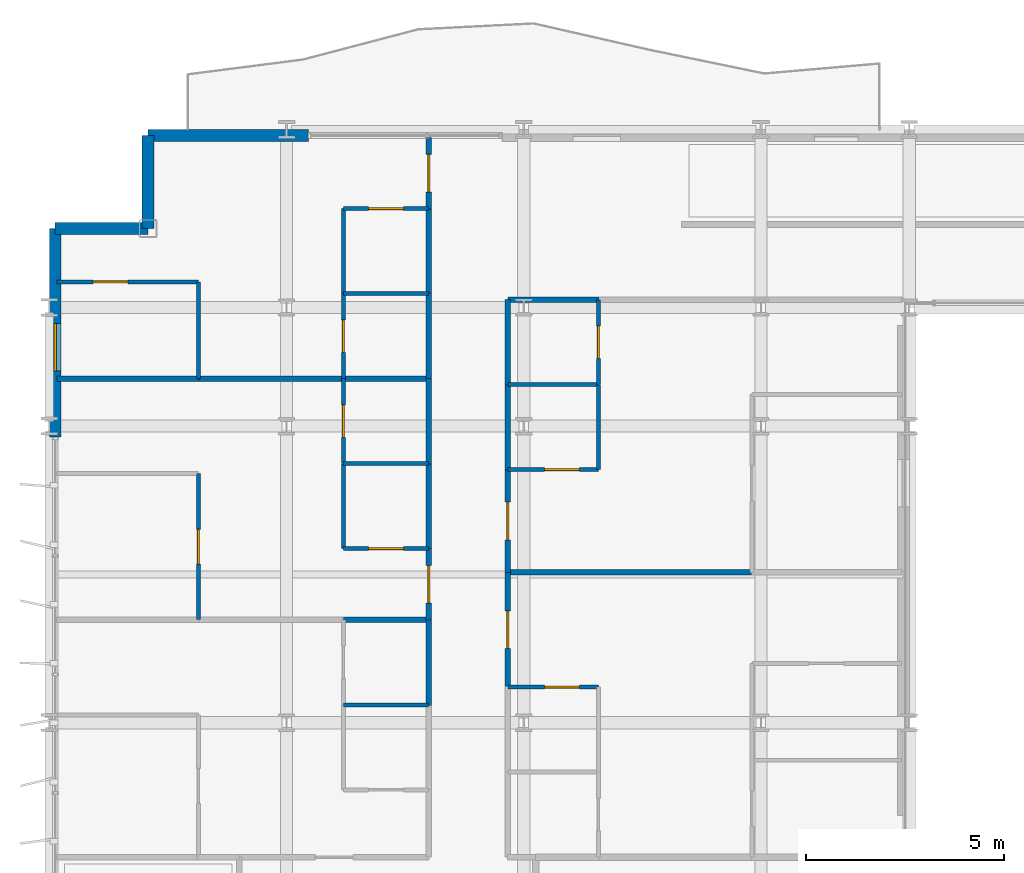
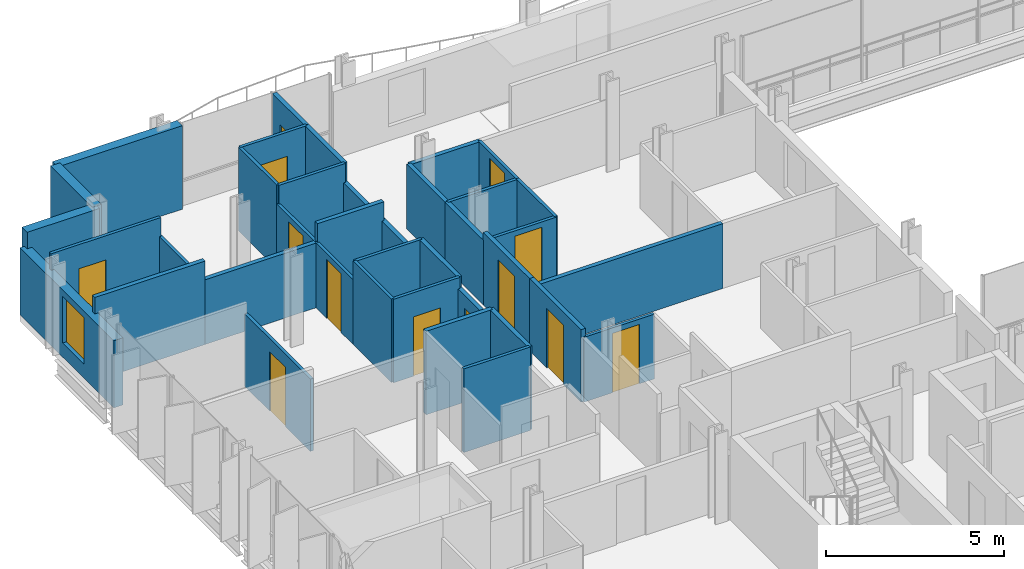
# One storey, part 29 of 39: 38 walls, 13 doors, 1 window, 14 openings.
"""IFC4 building model written with IfcOpenShell, lengths in metres."""

from ifc_helpers import new_model, si_unit, direction, frame, frame_2d, origin, place, context, subcontext, project, spatial, rectangle, extrude, material, layer, layer_set, type_object, element, fill, save


model = new_model("IFC4")

# Units and contexts
model_context = context("Model", 3, precision=1e-05, world=origin(), true_north=direction((0.0, 1.0)))
body_context = subcontext(model_context, "Body", "Model", "MODEL_VIEW")
ifc_project = project(units=[si_unit("LENGTHUNIT", "METRE"), si_unit("AREAUNIT", "SQUARE_METRE"), si_unit("VOLUMEUNIT", "CUBIC_METRE"), si_unit("PLANEANGLEUNIT", "RADIAN"), si_unit("MASSUNIT", "GRAM", prefix="KILO")], contexts=[model_context])

# Site, building, storey
site_placement = place(None, origin())
site = spatial("IfcSite", under=ifc_project, at=site_placement, CompositionType="ELEMENT")
building_placement = place(site_placement, origin())
building = spatial("IfcBuilding", under=site, at=building_placement, Name="Brevholm Reach", CompositionType="ELEMENT")
storey_placement = place(building_placement, frame((0.0, 0.0, 90.0)))
storey = spatial("IfcBuildingStorey", under=building, at=storey_placement, Name="L26", CompositionType="ELEMENT", Elevation=90.0)

# Walls
ifc_material_1 = material(Name="Concrete C40/50", Category="concrete")
ifc_layer_1 = layer(ifc_material_1, 0.300048828125)
ifc_layer_set_1 = layer_set([ifc_layer_1], Name="Concrete C40/50")
wall_type_1 = type_object("IfcWallType", Name="WAL-EXT-300", PredefinedType="STANDARD", material=ifc_layer_set_1)
for number, where, z_axis, x_axis, name in (
    (1, (2.5, 30.85009765625, 0.0), (0.0, 0.0, 1.0), (0.0, -1.0, 0.0), "L26 Facade Wall WAL-L26-CNW1"),
    (2, (2.5, 28.5, 0.0), (0.0, 0.0, 1.0), (-1.0, 0.0, 0.0), "L26 Facade Wall WAL-L26-CNW2"),
):
    element("IfcWall", number, at=place(storey_placement, frame(where, z_axis=z_axis, x_axis=x_axis)), inside=storey, type_object=wall_type_1, Name=name, PredefinedType="STANDARD", context=body_context, shape_type="SweptSolid", body=[
        extrude(rectangle(XDim=2.35009765625, YDim=0.300048828125, at=frame_2d((1.175048828125, 0.0))), origin(), (0.0, 0.0, 1.0), 2.8701171875),
    ])

# Wall, opening, window
wall_1_placement = place(storey_placement, frame((0.14990234375, 28.5, 0.0), z_axis=(0.0, 0.0, 1.0), x_axis=(0.0, -1.0, 0.0)))
wall_1 = element("IfcWall", 3, at=wall_1_placement, inside=storey, type_object=wall_type_1, Name="L26 Facade Wall WAL-L26-W-N", PredefinedType="STANDARD", context=body_context, shape_type="SweptSolid", body=[
    extrude(rectangle(XDim=5.280029296875, YDim=0.300048828125, at=frame_2d((2.64013671875, 0.0))), origin(), (0.0, 0.0, 1.0), 2.305419921875),
])
opening_1_placement = place(wall_1_placement, frame((2.39990234375, 0.0, 0.485107421875)))
opening_1 = element("IfcOpeningElement", 4, at=opening_1_placement, cuts=wall_1, Name="Opening WN-08", PredefinedType="OPENING", context=body_context, shape_type="SweptSolid", body=[
    extrude(rectangle(XDim=1.199951171875, YDim=1.60009765625, at=frame_2d((0.60009765625, 0.800048828125))), frame((0.0, 0.159912109375, 0.0), z_axis=(0.0, -1.0, 0.0), x_axis=(1.0, 0.0, 0.0)), (0.0, 0.0, 1.0), 0.320068359375),
])
ifc_material_2 = material(Name="Dark Anodised Aluminium and Solar-Control IGU Glass", Category="aluminium")
window_type = type_object("IfcWindowType", Name="WIN-RES-1200", PartitioningType="SINGLE_PANEL", PredefinedType="WINDOW", material=ifc_material_2)
window_placement = place(opening_1_placement, origin())
window = element("IfcWindow", 5, at=window_placement, inside=storey, type_object=window_type, Name="L26 Window WIN-L26-WN-1", OverallHeight=1.60009765625, OverallWidth=1.199951171875, PartitioningType="SINGLE_PANEL", PredefinedType="WINDOW", context=body_context, shape_type="SweptSolid", body=[
    extrude(rectangle(XDim=1.199951171875, YDim=1.60009765625, at=frame_2d((0.60009765625, 0.800048828125))), frame((0.0, 0.030029296875, 0.0), z_axis=(0.0, -1.0, 0.0), x_axis=(1.0, 0.0, 0.0)), (0.0, 0.0, 1.0), 0.06005859375),
])
fill(opening_1, window)

# Walls
wall_2_placement = place(storey_placement, frame((2.5, 30.85009765625, 0.0), z_axis=(0.0, 0.0, 1.0), x_axis=(1.0, 0.0, 0.0)))
element("IfcWall", 6, at=wall_2_placement, inside=storey, type_object=wall_type_1, Name="L26 Facade Wall WAL-L26-NP-W0", PredefinedType="STANDARD", context=body_context, shape_type="SweptSolid", body=[
    extrude(rectangle(XDim=4.050048828125, YDim=0.300048828125, at=frame_2d((2.02490234375, 0.0))), origin(), (0.0, 0.0, 1.0), 2.8701171875),
])
ifc_material_3 = material(Name="Moisture-Resistant Acoustic Gypsum Stud Partition 100 mm", Category="gypsum")
ifc_layer_2 = layer(ifc_material_3, 0.10009765625)
ifc_layer_set_2 = layer_set([ifc_layer_2], Name="Moisture-Resistant Acoustic Gypsum Stud Partition 100 mm")
wall_type_2 = type_object("IfcWallType", Name="WAL-PRT-100", PredefinedType="PARTITIONING", material=ifc_layer_set_2)
for number, where, z_axis, x_axis, name in (
    (7, (7.43798828125, 16.449951171875, 0.0), (0.0, 0.0, 1.0), (1.0, 0.0, 0.0), "L26 Internal Partition 090"),
    (8, (7.43798828125, 22.550048828125, 0.0), (0.0, 0.0, 1.0), (1.0, 0.0, 0.0), "L26 Internal Partition 099"),
):
    element("IfcWall", number, at=place(storey_placement, frame(where, z_axis=z_axis, x_axis=x_axis)), inside=storey, type_object=wall_type_2, Name=name, PredefinedType="PARTITIONING", context=body_context, shape_type="SweptSolid", body=[
        extrude(rectangle(XDim=2.157958984375, YDim=0.10009765625, at=frame_2d((1.0791015625, 0.0))), origin(), (0.0, 0.0, 1.0), 2.8701171875),
    ])

# Wall, opening, door
wall_3_placement = place(storey_placement, frame((7.43798828125, 22.550048828125, 0.0), z_axis=(0.0, 0.0, 1.0), x_axis=(0.0, 1.0, 0.0)))
wall_3 = element("IfcWall", 9, at=wall_3_placement, inside=storey, type_object=wall_type_2, Name="L26 Internal Partition 100", PredefinedType="PARTITIONING", context=body_context, shape_type="SweptSolid", body=[
    extrude(rectangle(XDim=2.14990234375, YDim=0.10009765625, at=frame_2d((1.074951171875, 0.0))), origin(), (0.0, 0.0, 1.0), 2.224853515625),
])
opening_2_placement = place(wall_3_placement, frame((0.6650390625, 0.0, 0.0)))
opening_2 = element("IfcOpeningElement", 10, at=opening_2_placement, cuts=wall_3, Name="Opening ID-03", PredefinedType="OPENING", context=body_context, shape_type="SweptSolid", body=[
    extrude(rectangle(XDim=0.820068359375, YDim=2.02001953125, at=frame_2d((0.41015625, 1.010009765625))), frame((0.0, 0.06005859375, 0.0), z_axis=(0.0, -1.0, 0.0), x_axis=(1.0, 0.0, 0.0)), (0.0, 0.0, 1.0), 0.1201171875),
])
ifc_material_4 = material(Name="Moisture-Resistant Painted Timber Internal Bathroom Door", Category="wood")
door_type_1 = type_object("IfcDoorType", Name="DOR-BATH-820", OperationType="NOTDEFINED", PredefinedType="DOOR", material=ifc_material_4)
door_1_placement = place(opening_2_placement, origin())
door_1 = element("IfcDoor", 11, at=door_1_placement, inside=storey, type_object=door_type_1, Name="L26 Internal Door 036", OperationType="SINGLE_SWING_RIGHT", OverallHeight=2.02001953125, OverallWidth=0.820068359375, PredefinedType="DOOR", context=body_context, shape_type="SweptSolid", body=[
    extrude(rectangle(XDim=0.820068359375, YDim=2.02001953125, at=frame_2d((0.41015625, 1.010009765625))), frame((0.0, 0.02490234375, 0.0), z_axis=(0.0, -1.0, 0.0), x_axis=(1.0, 0.0, 0.0)), (0.0, 0.0, 1.0), 0.050048828125),
])
fill(opening_2, door_1)

wall_4_placement = place(storey_placement, frame((7.43798828125, 20.39990234375, 0.0), z_axis=(0.0, 0.0, 1.0), x_axis=(1.0, 0.0, 0.0)))
wall_4 = element("IfcWall", 12, at=wall_4_placement, inside=storey, type_object=wall_type_2, Name="L26 Internal Partition 102", PredefinedType="PARTITIONING", context=body_context, shape_type="SweptSolid", body=[
    extrude(rectangle(XDim=2.157958984375, YDim=0.10009765625, at=frame_2d((1.0791015625, 0.0))), origin(), (0.0, 0.0, 1.0), 2.8701171875),
])
opening_3_placement = place(wall_4_placement, frame((0.638916015625, 0.0, 0.0)))
opening_3 = element("IfcOpeningElement", 13, at=opening_3_placement, cuts=wall_4, Name="Opening ID-01", PredefinedType="OPENING", context=body_context, shape_type="SweptSolid", body=[
    extrude(rectangle(XDim=0.8798828125, YDim=2.0400390625, at=frame_2d((0.43994140625, 1.02001953125))), frame((0.0, 0.06005859375, 0.0), z_axis=(0.0, -1.0, 0.0), x_axis=(1.0, 0.0, 0.0)), (0.0, 0.0, 1.0), 0.1201171875),
])
ifc_material_5 = material(Name="Lacquered Ash Solid-Core Acoustic Internal Door", Category="timber")
door_type_2 = type_object("IfcDoorType", Name="DOR-INT-880", OperationType="NOTDEFINED", PredefinedType="DOOR", material=ifc_material_5)
door_2_placement = place(opening_3_placement, origin())
door_2 = element("IfcDoor", 14, at=door_2_placement, inside=storey, type_object=door_type_2, Name="L26 Internal Door 037", OperationType="SINGLE_SWING_LEFT", OverallHeight=2.0400390625, OverallWidth=0.8798828125, PredefinedType="DOOR", context=body_context, shape_type="SweptSolid", body=[
    extrude(rectangle(XDim=0.8798828125, YDim=2.0400390625, at=frame_2d((0.43994140625, 1.02001953125))), frame((0.0, 0.02490234375, 0.0), z_axis=(0.0, -1.0, 0.0), x_axis=(1.0, 0.0, 0.0)), (0.0, 0.0, 1.0), 0.050048828125),
])
fill(opening_3, door_2)

# Wall
wall_5_placement = place(storey_placement, frame((7.43798828125, 20.39990234375, 0.0), z_axis=(0.0, 0.0, 1.0), x_axis=(0.0, 1.0, 0.0)))
element("IfcWall", 15, at=wall_5_placement, inside=storey, type_object=wall_type_2, Name="L26 Internal Partition 103", PredefinedType="PARTITIONING", context=body_context, shape_type="SweptSolid", body=[
    extrude(rectangle(XDim=2.14599609375, YDim=0.10009765625, at=frame_2d((1.072998046875, 0.0))), origin(), (0.0, 0.0, 1.0), 2.8701171875),
])

# Wall, opening, door
wall_6_placement = place(storey_placement, frame((3.77197265625, 18.60400390625, 0.0), z_axis=(0.0, 0.0, 1.0), x_axis=(0.0, 1.0, 0.0)))
wall_6 = element("IfcWall", 16, at=wall_6_placement, inside=storey, type_object=wall_type_2, Name="L26 Internal Partition 104", PredefinedType="PARTITIONING", context=body_context, shape_type="SweptSolid", body=[
    extrude(rectangle(XDim=3.696044921875, YDim=0.10009765625, at=frame_2d((1.84814453125, 0.0))), origin(), (0.0, 0.0, 1.0), 2.489990234375),
])
opening_4_placement = place(wall_6_placement, frame((1.407958984375, 0.0, 0.0)))
opening_4 = element("IfcOpeningElement", 17, at=opening_4_placement, cuts=wall_6, Name="Opening ID-01", PredefinedType="OPENING", context=body_context, shape_type="SweptSolid", body=[
    extrude(rectangle(XDim=0.8798828125, YDim=2.0400390625, at=frame_2d((0.43994140625, 1.02001953125))), frame((0.0, 0.06005859375, 0.0), z_axis=(0.0, -1.0, 0.0), x_axis=(1.0, 0.0, 0.0)), (0.0, 0.0, 1.0), 0.1201171875),
])
door_3_placement = place(opening_4_placement, origin())
door_3 = element("IfcDoor", 18, at=door_3_placement, inside=storey, type_object=door_type_2, Name="L26 Internal Door 038", OperationType="SINGLE_SWING_RIGHT", OverallHeight=2.0400390625, OverallWidth=0.8798828125, PredefinedType="DOOR", context=body_context, shape_type="SweptSolid", body=[
    extrude(rectangle(XDim=0.8798828125, YDim=2.0400390625, at=frame_2d((0.43994140625, 1.02001953125))), frame((0.0, 0.02490234375, 0.0), z_axis=(0.0, -1.0, 0.0), x_axis=(1.0, 0.0, 0.0)), (0.0, 0.0, 1.0), 0.050048828125),
])
fill(opening_4, door_3)

# Wall
wall_7_placement = place(storey_placement, frame((7.43798828125, 26.85009765625, 0.0), z_axis=(0.0, 0.0, 1.0), x_axis=(1.0, 0.0, 0.0)))
element("IfcWall", 19, at=wall_7_placement, inside=storey, type_object=wall_type_2, Name="L26 Internal Partition 108", PredefinedType="PARTITIONING", context=body_context, shape_type="SweptSolid", body=[
    extrude(rectangle(XDim=2.157958984375, YDim=0.10009765625, at=frame_2d((1.0791015625, 0.0))), origin(), (0.0, 0.0, 1.0), 2.8701171875),
])

# Wall, opening, door
wall_8_placement = place(storey_placement, frame((7.43798828125, 24.7041015625, 0.0), z_axis=(0.0, 0.0, 1.0), x_axis=(0.0, 1.0, 0.0)))
wall_8 = element("IfcWall", 20, at=wall_8_placement, inside=storey, type_object=wall_type_2, Name="L26 Internal Partition 109", PredefinedType="PARTITIONING", context=body_context, shape_type="SweptSolid", body=[
    extrude(rectangle(XDim=2.14599609375, YDim=0.10009765625, at=frame_2d((1.072998046875, 0.0))), origin(), (0.0, 0.0, 1.0), 2.224853515625),
])
opening_5_placement = place(wall_8_placement, frame((0.6630859375, 0.0, 0.0)))
opening_5 = element("IfcOpeningElement", 21, at=opening_5_placement, cuts=wall_8, Name="Opening ID-03", PredefinedType="OPENING", context=body_context, shape_type="SweptSolid", body=[
    extrude(rectangle(XDim=0.820068359375, YDim=2.02001953125, at=frame_2d((0.41015625, 1.010009765625))), frame((0.0, 0.06005859375, 0.0), z_axis=(0.0, -1.0, 0.0), x_axis=(1.0, 0.0, 0.0)), (0.0, 0.0, 1.0), 0.1201171875),
])
door_4_placement = place(opening_5_placement, origin())
door_4 = element("IfcDoor", 22, at=door_4_placement, inside=storey, type_object=door_type_1, Name="L26 Internal Door 039", OperationType="SINGLE_SWING_LEFT", OverallHeight=2.02001953125, OverallWidth=0.820068359375, PredefinedType="DOOR", context=body_context, shape_type="SweptSolid", body=[
    extrude(rectangle(XDim=0.820068359375, YDim=2.02001953125, at=frame_2d((0.41015625, 1.010009765625))), frame((0.0, 0.02490234375, 0.0), z_axis=(0.0, -1.0, 0.0), x_axis=(1.0, 0.0, 0.0)), (0.0, 0.0, 1.0), 0.050048828125),
])
fill(opening_5, door_4)

wall_9_placement = place(storey_placement, frame((7.43798828125, 29.0, 0.0), z_axis=(0.0, 0.0, 1.0), x_axis=(1.0, 0.0, 0.0)))
wall_9 = element("IfcWall", 23, at=wall_9_placement, inside=storey, type_object=wall_type_2, Name="L26 Internal Partition 110", PredefinedType="PARTITIONING", context=body_context, shape_type="SweptSolid", body=[
    extrude(rectangle(XDim=2.157958984375, YDim=0.10009765625, at=frame_2d((1.0791015625, 0.0))), origin(), (0.0, 0.0, 1.0), 2.8701171875),
])
opening_6_placement = place(wall_9_placement, frame((0.638916015625, 0.0, 0.0)))
opening_6 = element("IfcOpeningElement", 24, at=opening_6_placement, cuts=wall_9, Name="Opening ID-01", PredefinedType="OPENING", context=body_context, shape_type="SweptSolid", body=[
    extrude(rectangle(XDim=0.8798828125, YDim=2.0400390625, at=frame_2d((0.43994140625, 1.02001953125))), frame((0.0, 0.06005859375, 0.0), z_axis=(0.0, -1.0, 0.0), x_axis=(1.0, 0.0, 0.0)), (0.0, 0.0, 1.0), 0.1201171875),
])
door_5_placement = place(opening_6_placement, origin())
door_5 = element("IfcDoor", 25, at=door_5_placement, inside=storey, type_object=door_type_2, Name="L26 Internal Door 040", OperationType="SINGLE_SWING_RIGHT", OverallHeight=2.0400390625, OverallWidth=0.8798828125, PredefinedType="DOOR", context=body_context, shape_type="SweptSolid", body=[
    extrude(rectangle(XDim=0.8798828125, YDim=2.0400390625, at=frame_2d((0.43994140625, 1.02001953125))), frame((0.0, 0.02490234375, 0.0), z_axis=(0.0, -1.0, 0.0), x_axis=(1.0, 0.0, 0.0)), (0.0, 0.0, 1.0), 0.050048828125),
])
fill(opening_6, door_5)

# Walls
wall_10_placement = place(storey_placement, frame((7.43798828125, 26.85400390625, 0.0), z_axis=(0.0, 0.0, 1.0), x_axis=(0.0, 1.0, 0.0)))
element("IfcWall", 26, at=wall_10_placement, inside=storey, type_object=wall_type_2, Name="L26 Internal Partition 111", PredefinedType="PARTITIONING", context=body_context, shape_type="SweptSolid", body=[
    extrude(rectangle(XDim=2.14599609375, YDim=0.10009765625, at=frame_2d((1.072998046875, 0.0))), origin(), (0.0, 0.0, 1.0), 2.8701171875),
])
wall_11_placement = place(storey_placement, frame((3.77197265625, 24.7041015625, 0.0), z_axis=(0.0, 0.0, 1.0), x_axis=(0.0, 1.0, 0.0)))
element("IfcWall", 27, at=wall_11_placement, inside=storey, type_object=wall_type_2, Name="L26 Internal Partition 112", PredefinedType="PARTITIONING", context=body_context, shape_type="SweptSolid", body=[
    extrude(rectangle(XDim=2.44580078125, YDim=0.10009765625, at=frame_2d((1.222900390625, 0.0))), origin(), (0.0, 0.0, 1.0), 2.224853515625),
])

# Wall, opening, door
wall_12_placement = place(storey_placement, frame((0.199951171875, 27.14990234375, 0.0), z_axis=(0.0, 0.0, 1.0), x_axis=(1.0, 0.0, 0.0)))
wall_12 = element("IfcWall", 28, at=wall_12_placement, inside=storey, type_object=wall_type_2, Name="L26 Internal Partition 113", PredefinedType="PARTITIONING", context=body_context, shape_type="SweptSolid", body=[
    extrude(rectangle(XDim=3.572021484375, YDim=0.10009765625, at=frame_2d((1.7861328125, 0.0))), origin(), (0.0, 0.0, 1.0), 2.8701171875),
])
opening_7_placement = place(wall_12_placement, frame((0.906005859375, 0.0, 0.0)))
opening_7 = element("IfcOpeningElement", 29, at=opening_7_placement, cuts=wall_12, Name="Opening ID-01", PredefinedType="OPENING", context=body_context, shape_type="SweptSolid", body=[
    extrude(rectangle(XDim=0.8798828125, YDim=2.0400390625, at=frame_2d((0.43994140625, 1.02001953125))), frame((0.0, 0.06005859375, 0.0), z_axis=(0.0, -1.0, 0.0), x_axis=(1.0, 0.0, 0.0)), (0.0, 0.0, 1.0), 0.1201171875),
])
door_6_placement = place(opening_7_placement, origin())
door_6 = element("IfcDoor", 30, at=door_6_placement, inside=storey, type_object=door_type_2, Name="L26 Internal Door 041", OperationType="SINGLE_SWING_LEFT", OverallHeight=2.0400390625, OverallWidth=0.8798828125, PredefinedType="DOOR", context=body_context, shape_type="SweptSolid", body=[
    extrude(rectangle(XDim=0.8798828125, YDim=2.0400390625, at=frame_2d((0.43994140625, 1.02001953125))), frame((0.0, 0.02490234375, 0.0), z_axis=(0.0, -1.0, 0.0), x_axis=(1.0, 0.0, 0.0)), (0.0, 0.0, 1.0), 0.050048828125),
])
fill(opening_7, door_6)

wall_13_placement = place(storey_placement, frame((11.60400390625, 16.89990234375, 0.0), z_axis=(0.0, 0.0, 1.0), x_axis=(1.0, 0.0, 0.0)))
wall_13 = element("IfcWall", 31, at=wall_13_placement, inside=storey, type_object=wall_type_2, Name="L26 Internal Partition 117", PredefinedType="PARTITIONING", context=body_context, shape_type="SweptSolid", body=[
    extrude(rectangle(XDim=2.284912109375, YDim=0.10009765625, at=frame_2d((1.142578125, 0.0))), origin(), (0.0, 0.0, 1.0), 2.224853515625),
])
opening_8_placement = place(wall_13_placement, frame((0.922607421875, 0.0, 0.0)))
opening_8 = element("IfcOpeningElement", 32, at=opening_8_placement, cuts=wall_13, Name="Opening ID-01", PredefinedType="OPENING", context=body_context, shape_type="SweptSolid", body=[
    extrude(rectangle(XDim=0.8798828125, YDim=2.0400390625, at=frame_2d((0.43994140625, 1.02001953125))), frame((0.0, 0.06005859375, 0.0), z_axis=(0.0, -1.0, 0.0), x_axis=(1.0, 0.0, 0.0)), (0.0, 0.0, 1.0), 0.1201171875),
])
door_7_placement = place(opening_8_placement, origin())
door_7 = element("IfcDoor", 33, at=door_7_placement, inside=storey, type_object=door_type_2, Name="L26 Internal Door 043", OperationType="SINGLE_SWING_LEFT", OverallHeight=2.0400390625, OverallWidth=0.8798828125, PredefinedType="DOOR", context=body_context, shape_type="SweptSolid", body=[
    extrude(rectangle(XDim=0.8798828125, YDim=2.0400390625, at=frame_2d((0.43994140625, 1.02001953125))), frame((0.0, 0.02490234375, 0.0), z_axis=(0.0, -1.0, 0.0), x_axis=(1.0, 0.0, 0.0)), (0.0, 0.0, 1.0), 0.050048828125),
])
fill(opening_8, door_7)

# Wall
wall_14_placement = place(storey_placement, frame((11.60400390625, 24.550048828125, 0.0), z_axis=(0.0, 0.0, 1.0), x_axis=(1.0, 0.0, 0.0)))
element("IfcWall", 34, at=wall_14_placement, inside=storey, type_object=wall_type_2, Name="L26 Internal Partition 124", PredefinedType="PARTITIONING", context=body_context, shape_type="SweptSolid", body=[
    extrude(rectangle(XDim=2.284912109375, YDim=0.10009765625, at=frame_2d((1.142578125, 0.0))), origin(), (0.0, 0.0, 1.0), 2.224853515625),
])

# Wall, opening, door
wall_15_placement = place(storey_placement, frame((13.888916015625, 24.550048828125, 0.0), z_axis=(0.0, 0.0, 1.0), x_axis=(0.0, 1.0, 0.0)))
wall_15 = element("IfcWall", 35, at=wall_15_placement, inside=storey, type_object=wall_type_2, Name="L26 Internal Partition 125", PredefinedType="PARTITIONING", context=body_context, shape_type="SweptSolid", body=[
    extrude(rectangle(XDim=2.14599609375, YDim=0.10009765625, at=frame_2d((1.072998046875, 0.0))), origin(), (0.0, 0.0, 1.0), 2.224853515625),
])
opening_9_placement = place(wall_15_placement, frame((0.6630859375, 0.0, 0.0)))
opening_9 = element("IfcOpeningElement", 36, at=opening_9_placement, cuts=wall_15, Name="Opening ID-03", PredefinedType="OPENING", context=body_context, shape_type="SweptSolid", body=[
    extrude(rectangle(XDim=0.820068359375, YDim=2.02001953125, at=frame_2d((0.41015625, 1.010009765625))), frame((0.0, 0.06005859375, 0.0), z_axis=(0.0, -1.0, 0.0), x_axis=(1.0, 0.0, 0.0)), (0.0, 0.0, 1.0), 0.1201171875),
])
door_8_placement = place(opening_9_placement, origin())
door_8 = element("IfcDoor", 37, at=door_8_placement, inside=storey, type_object=door_type_1, Name="L26 Internal Door 046", OperationType="SINGLE_SWING_RIGHT", OverallHeight=2.02001953125, OverallWidth=0.820068359375, PredefinedType="DOOR", context=body_context, shape_type="SweptSolid", body=[
    extrude(rectangle(XDim=0.820068359375, YDim=2.02001953125, at=frame_2d((0.41015625, 1.010009765625))), frame((0.0, 0.02490234375, 0.0), z_axis=(0.0, -1.0, 0.0), x_axis=(1.0, 0.0, 0.0)), (0.0, 0.0, 1.0), 0.050048828125),
])
fill(opening_9, door_8)

wall_16_placement = place(storey_placement, frame((11.60400390625, 22.39990234375, 0.0), z_axis=(0.0, 0.0, 1.0), x_axis=(1.0, 0.0, 0.0)))
wall_16 = element("IfcWall", 38, at=wall_16_placement, inside=storey, type_object=wall_type_2, Name="L26 Internal Partition 126", PredefinedType="PARTITIONING", context=body_context, shape_type="SweptSolid", body=[
    extrude(rectangle(XDim=2.284912109375, YDim=0.10009765625, at=frame_2d((1.142578125, 0.0))), origin(), (0.0, 0.0, 1.0), 2.224853515625),
])
opening_10_placement = place(wall_16_placement, frame((0.922607421875, 0.0, 0.0)))
opening_10 = element("IfcOpeningElement", 39, at=opening_10_placement, cuts=wall_16, Name="Opening ID-01", PredefinedType="OPENING", context=body_context, shape_type="SweptSolid", body=[
    extrude(rectangle(XDim=0.8798828125, YDim=2.0400390625, at=frame_2d((0.43994140625, 1.02001953125))), frame((0.0, 0.06005859375, 0.0), z_axis=(0.0, -1.0, 0.0), x_axis=(1.0, 0.0, 0.0)), (0.0, 0.0, 1.0), 0.1201171875),
])
door_9_placement = place(opening_10_placement, origin())
door_9 = element("IfcDoor", 40, at=door_9_placement, inside=storey, type_object=door_type_2, Name="L26 Internal Door 047", OperationType="SINGLE_SWING_LEFT", OverallHeight=2.0400390625, OverallWidth=0.8798828125, PredefinedType="DOOR", context=body_context, shape_type="SweptSolid", body=[
    extrude(rectangle(XDim=0.8798828125, YDim=2.0400390625, at=frame_2d((0.43994140625, 1.02001953125))), frame((0.0, 0.02490234375, 0.0), z_axis=(0.0, -1.0, 0.0), x_axis=(1.0, 0.0, 0.0)), (0.0, 0.0, 1.0), 0.050048828125),
])
fill(opening_10, door_9)

# Walls
wall_17_placement = place(storey_placement, frame((13.888916015625, 22.39990234375, 0.0), z_axis=(0.0, 0.0, 1.0), x_axis=(0.0, 1.0, 0.0)))
element("IfcWall", 41, at=wall_17_placement, inside=storey, type_object=wall_type_2, Name="L26 Internal Partition 127", PredefinedType="PARTITIONING", context=body_context, shape_type="SweptSolid", body=[
    extrude(rectangle(XDim=2.14599609375, YDim=0.10009765625, at=frame_2d((1.072998046875, 0.0))), origin(), (0.0, 0.0, 1.0), 2.224853515625),
])
ifc_material_6 = material(Name="Twin-Stud Acoustic Fire-Rated Gypsum Partition 140 mm", Category="gypsum")
ifc_layer_3 = layer(ifc_material_6, 0.139892578125)
ifc_layer_set_3 = layer_set([ifc_layer_3], Name="Twin-Stud Acoustic Fire-Rated Gypsum Partition 140 mm")
wall_type_3 = type_object("IfcWallType", Name="WAL-PRT-140", PredefinedType="PARTITIONING", material=ifc_layer_set_3)
wall_18_placement = place(storey_placement, frame((9.60009765625, 16.438720703125, 0.0), z_axis=(0.0, 0.0, 1.0), x_axis=(0.0, 1.0, 0.0)))
element("IfcWall", 42, at=wall_18_placement, inside=storey, type_object=wall_type_3, Name="L26 Internal Partition 035", PredefinedType="PARTITIONING", context=body_context, shape_type="SweptSolid", body=[
    extrude(rectangle(XDim=2.172607421875, YDim=0.139892578125, at=frame_2d((1.08642578125, 0.0))), origin(), (0.0, 0.0, 1.0), 2.8701171875),
])
wall_19_placement = place(storey_placement, frame((9.60009765625, 22.538818359375, 0.0), z_axis=(0.0, 0.0, 1.0), x_axis=(0.0, 1.0, 0.0)))
element("IfcWall", 43, at=wall_19_placement, inside=storey, type_object=wall_type_3, Name="L26 Internal Partition 038", PredefinedType="PARTITIONING", context=body_context, shape_type="SweptSolid", body=[
    extrude(rectangle(XDim=2.17236328125, YDim=0.139892578125, at=frame_2d((1.086181640625, 0.0))), origin(), (0.0, 0.0, 1.0), 2.224853515625),
])
wall_20_placement = place(storey_placement, frame((9.60009765625, 20.388671875, 0.0), z_axis=(0.0, 0.0, 1.0), x_axis=(0.0, 1.0, 0.0)))
element("IfcWall", 44, at=wall_20_placement, inside=storey, type_object=wall_type_3, Name="L26 Internal Partition 039", PredefinedType="PARTITIONING", context=body_context, shape_type="SweptSolid", body=[
    extrude(rectangle(XDim=2.168701171875, YDim=0.139892578125, at=frame_2d((1.08447265625, 0.0))), origin(), (0.0, 0.0, 1.0), 2.8701171875),
])

# Wall, opening, door
wall_21_placement = place(storey_placement, frame((9.60009765625, 18.5927734375, 0.0), z_axis=(0.0, 0.0, 1.0), x_axis=(0.0, 1.0, 0.0)))
wall_21 = element("IfcWall", 45, at=wall_21_placement, inside=storey, type_object=wall_type_3, Name="L26 Internal Partition 040", PredefinedType="PARTITIONING", context=body_context, shape_type="SweptSolid", body=[
    extrude(rectangle(XDim=1.814453125, YDim=0.139892578125, at=frame_2d((0.9072265625, 0.0))), origin(), (0.0, 0.0, 1.0), 2.489990234375),
])
opening_11_placement = place(wall_21_placement, frame((0.432373046875, 0.0, 0.0)))
opening_11 = element("IfcOpeningElement", 46, at=opening_11_placement, cuts=wall_21, Name="Opening ID-30", PredefinedType="OPENING", context=body_context, shape_type="SweptSolid", body=[
    extrude(rectangle(XDim=0.949951171875, YDim=2.050048828125, at=frame_2d((0.47509765625, 1.02490234375))), frame((0.0, 0.079833984375, 0.0), z_axis=(0.0, -1.0, 0.0), x_axis=(1.0, 0.0, 0.0)), (0.0, 0.0, 1.0), 0.159912109375),
])
ifc_material_7 = material(Name="European Oak Veneered Solid-Core Fire Entrance Door", Category="timber")
door_type_3 = type_object("IfcDoorType", Name="DOR-FLT-FD30S", OperationType="NOTDEFINED", PredefinedType="DOOR", material=ifc_material_7)
door_10_placement = place(opening_11_placement, origin())
door_10 = element("IfcDoor", 47, at=door_10_placement, inside=storey, type_object=door_type_3, Name="L26 Internal Door 018", OperationType="SINGLE_SWING_RIGHT", OverallHeight=2.050048828125, OverallWidth=0.949951171875, PredefinedType="DOOR", context=body_context, shape_type="SweptSolid", body=[
    extrude(rectangle(XDim=0.949951171875, YDim=2.050048828125, at=frame_2d((0.47509765625, 1.02490234375))), frame((0.0, 0.02490234375, 0.0), z_axis=(0.0, -1.0, 0.0), x_axis=(1.0, 0.0, 0.0)), (0.0, 0.0, 1.0), 0.050048828125),
])
fill(opening_11, door_10)

# Walls
wall_22_placement = place(storey_placement, frame((9.60009765625, 24.692626953125, 0.0), z_axis=(0.0, 0.0, 1.0), x_axis=(0.0, 1.0, 0.0)))
element("IfcWall", 48, at=wall_22_placement, inside=storey, type_object=wall_type_3, Name="L26 Internal Partition 041", PredefinedType="PARTITIONING", context=body_context, shape_type="SweptSolid", body=[
    extrude(rectangle(XDim=2.168701171875, YDim=0.139892578125, at=frame_2d((1.08447265625, 0.0))), origin(), (0.0, 0.0, 1.0), 2.224853515625),
])
wall_23_placement = place(storey_placement, frame((9.60009765625, 26.8427734375, 0.0), z_axis=(0.0, 0.0, 1.0), x_axis=(0.0, 1.0, 0.0)))
element("IfcWall", 49, at=wall_23_placement, inside=storey, type_object=wall_type_3, Name="L26 Internal Partition 042", PredefinedType="PARTITIONING", context=body_context, shape_type="SweptSolid", body=[
    extrude(rectangle(XDim=2.16845703125, YDim=0.139892578125, at=frame_2d((1.084228515625, 0.0))), origin(), (0.0, 0.0, 1.0), 2.8701171875),
])

# Wall, opening, door
wall_24_placement = place(storey_placement, frame((9.60009765625, 28.99267578125, 0.0), z_axis=(0.0, 0.0, 1.0), x_axis=(0.0, 1.0, 0.0)))
wall_24 = element("IfcWall", 50, at=wall_24_placement, inside=storey, type_object=wall_type_3, Name="L26 Internal Partition 043", PredefinedType="PARTITIONING", context=body_context, shape_type="SweptSolid", body=[
    extrude(rectangle(XDim=1.807373046875, YDim=0.139892578125, at=frame_2d((0.90380859375, 0.0))), origin(), (0.0, 0.0, 1.0), 2.8701171875),
])
opening_12_placement = place(wall_24_placement, frame((0.4287109375, 0.0, 0.0)))
opening_12 = element("IfcOpeningElement", 51, at=opening_12_placement, cuts=wall_24, Name="Opening ID-30", PredefinedType="OPENING", context=body_context, shape_type="SweptSolid", body=[
    extrude(rectangle(XDim=0.949951171875, YDim=2.050048828125, at=frame_2d((0.47509765625, 1.02490234375))), frame((0.0, 0.079833984375, 0.0), z_axis=(0.0, -1.0, 0.0), x_axis=(1.0, 0.0, 0.0)), (0.0, 0.0, 1.0), 0.159912109375),
])
door_11_placement = place(opening_12_placement, origin())
door_11 = element("IfcDoor", 52, at=door_11_placement, inside=storey, type_object=door_type_3, Name="L26 Internal Door 019", OperationType="SINGLE_SWING_LEFT", OverallHeight=2.050048828125, OverallWidth=0.949951171875, PredefinedType="DOOR", context=body_context, shape_type="SweptSolid", body=[
    extrude(rectangle(XDim=0.949951171875, YDim=2.050048828125, at=frame_2d((0.47509765625, 1.02490234375))), frame((0.0, 0.02490234375, 0.0), z_axis=(0.0, -1.0, 0.0), x_axis=(1.0, 0.0, 0.0)), (0.0, 0.0, 1.0), 0.050048828125),
])
fill(opening_12, door_11)

wall_25_placement = place(storey_placement, frame((11.60009765625, 16.892578125, 0.0), z_axis=(0.0, 0.0, 1.0), x_axis=(0.0, 1.0, 0.0)))
wall_25 = element("IfcWall", 53, at=wall_25_placement, inside=storey, type_object=wall_type_3, Name="L26 Internal Partition 046", PredefinedType="PARTITIONING", context=body_context, shape_type="SweptSolid", body=[
    extrude(rectangle(XDim=2.918701171875, YDim=0.139892578125, at=frame_2d((1.45947265625, 0.0))), origin(), (0.0, 0.0, 1.0), 2.489990234375),
])
opening_13_placement = place(wall_25_placement, frame((0.984375, 0.0, 0.0)))
opening_13 = element("IfcOpeningElement", 54, at=opening_13_placement, cuts=wall_25, Name="Opening ID-30", PredefinedType="OPENING", context=body_context, shape_type="SweptSolid", body=[
    extrude(rectangle(XDim=0.949951171875, YDim=2.050048828125, at=frame_2d((0.47509765625, 1.02490234375))), frame((0.0, 0.079833984375, 0.0), z_axis=(0.0, -1.0, 0.0), x_axis=(1.0, 0.0, 0.0)), (0.0, 0.0, 1.0), 0.159912109375),
])
door_12_placement = place(opening_13_placement, origin())
door_12 = element("IfcDoor", 55, at=door_12_placement, inside=storey, type_object=door_type_3, Name="L26 Internal Door 020", OperationType="SINGLE_SWING_RIGHT", OverallHeight=2.050048828125, OverallWidth=0.949951171875, PredefinedType="DOOR", context=body_context, shape_type="SweptSolid", body=[
    extrude(rectangle(XDim=0.949951171875, YDim=2.050048828125, at=frame_2d((0.47509765625, 1.02490234375))), frame((0.0, 0.02490234375, 0.0), z_axis=(0.0, -1.0, 0.0), x_axis=(1.0, 0.0, 0.0)), (0.0, 0.0, 1.0), 0.050048828125),
])
fill(opening_13, door_12)

# Walls
wall_26_placement = place(storey_placement, frame((11.60009765625, 24.538818359375, 0.0), z_axis=(0.0, 0.0, 1.0), x_axis=(0.0, 1.0, 0.0)))
element("IfcWall", 56, at=wall_26_placement, inside=storey, type_object=wall_type_3, Name="L26 Internal Partition 047", PredefinedType="PARTITIONING", context=body_context, shape_type="SweptSolid", body=[
    extrude(rectangle(XDim=2.16845703125, YDim=0.139892578125, at=frame_2d((1.084228515625, 0.0))), origin(), (0.0, 0.0, 1.0), 2.224853515625),
])
wall_27_placement = place(storey_placement, frame((11.60009765625, 22.388671875, 0.0), z_axis=(0.0, 0.0, 1.0), x_axis=(0.0, 1.0, 0.0)))
element("IfcWall", 57, at=wall_27_placement, inside=storey, type_object=wall_type_3, Name="L26 Internal Partition 048", PredefinedType="PARTITIONING", context=body_context, shape_type="SweptSolid", body=[
    extrude(rectangle(XDim=2.168701171875, YDim=0.139892578125, at=frame_2d((1.08447265625, 0.0))), origin(), (0.0, 0.0, 1.0), 2.224853515625),
])

# Wall, opening, door
wall_28_placement = place(storey_placement, frame((11.60009765625, 19.792724609375, 0.0), z_axis=(0.0, 0.0, 1.0), x_axis=(0.0, 1.0, 0.0)))
wall_28 = element("IfcWall", 58, at=wall_28_placement, inside=storey, type_object=wall_type_3, Name="L26 Internal Partition 049", PredefinedType="PARTITIONING", context=body_context, shape_type="SweptSolid", body=[
    extrude(rectangle(XDim=2.614501953125, YDim=0.139892578125, at=frame_2d((1.30712890625, 0.0))), origin(), (0.0, 0.0, 1.0), 2.489990234375),
])
opening_14_placement = place(wall_28_placement, frame((0.832275390625, 0.0, 0.0)))
opening_14 = element("IfcOpeningElement", 59, at=opening_14_placement, cuts=wall_28, Name="Opening ID-30", PredefinedType="OPENING", context=body_context, shape_type="SweptSolid", body=[
    extrude(rectangle(XDim=0.949951171875, YDim=2.050048828125, at=frame_2d((0.47509765625, 1.02490234375))), frame((0.0, 0.079833984375, 0.0), z_axis=(0.0, -1.0, 0.0), x_axis=(1.0, 0.0, 0.0)), (0.0, 0.0, 1.0), 0.159912109375),
])
door_13_placement = place(opening_14_placement, origin())
door_13 = element("IfcDoor", 60, at=door_13_placement, inside=storey, type_object=door_type_3, Name="L26 Internal Door 021", OperationType="SINGLE_SWING_LEFT", OverallHeight=2.050048828125, OverallWidth=0.949951171875, PredefinedType="DOOR", context=body_context, shape_type="SweptSolid", body=[
    extrude(rectangle(XDim=0.949951171875, YDim=2.050048828125, at=frame_2d((0.47509765625, 1.02490234375))), frame((0.0, 0.02490234375, 0.0), z_axis=(0.0, -1.0, 0.0), x_axis=(1.0, 0.0, 0.0)), (0.0, 0.0, 1.0), 0.050048828125),
])
fill(opening_14, door_13)

# Walls
wall_29_placement = place(storey_placement, frame((11.60400390625, 26.699951171875, 0.0), z_axis=(0.0, 0.0, 1.0), x_axis=(1.0, 0.0, 0.0)))
element("IfcWall", 61, at=wall_29_placement, inside=storey, type_object=wall_type_3, Name="L26 Internal Partition 062", PredefinedType="PARTITIONING", context=body_context, shape_type="SweptSolid", body=[
    extrude(rectangle(XDim=2.29638671875, YDim=0.139892578125, at=frame_2d((1.148193359375, 0.0))), origin(), (0.0, 0.0, 1.0), 2.224853515625),
])
for number, where, z_axis, x_axis, name in (
    (62, (7.43798828125, 18.60009765625, 0.0), (0.0, 0.0, 1.0), (1.0, 0.0, 0.0), "L26 Internal Partition 092"),
    (63, (7.43798828125, 24.699951171875, 0.0), (0.0, 0.0, 1.0), (1.0, 0.0, 0.0), "L26 Internal Partition 101"),
):
    element("IfcWall", number, at=place(storey_placement, frame(where, z_axis=z_axis, x_axis=x_axis)), inside=storey, type_object=wall_type_3, Name=name, PredefinedType="PARTITIONING", context=body_context, shape_type="SweptSolid", body=[
        extrude(rectangle(XDim=2.157958984375, YDim=0.139892578125, at=frame_2d((1.0791015625, 0.0))), origin(), (0.0, 0.0, 1.0), 2.8701171875),
    ])
wall_30_placement = place(storey_placement, frame((0.199951171875, 24.699951171875, 0.0), z_axis=(0.0, 0.0, 1.0), x_axis=(1.0, 0.0, 0.0)))
element("IfcWall", 64, at=wall_30_placement, inside=storey, type_object=wall_type_3, Name="L26 Internal Partition 106", PredefinedType="PARTITIONING", context=body_context, shape_type="SweptSolid", body=[
    extrude(rectangle(XDim=3.583251953125, YDim=0.139892578125, at=frame_2d((1.79150390625, 0.0))), origin(), (0.0, 0.0, 1.0), 2.8701171875),
])
wall_31_placement = place(storey_placement, frame((3.7646484375, 24.699951171875, 0.0), z_axis=(0.0, 0.0, 1.0), x_axis=(1.0, 0.0, 0.0)))
element("IfcWall", 65, at=wall_31_placement, inside=storey, type_object=wall_type_3, Name="L26 Internal Partition 107", PredefinedType="PARTITIONING", context=body_context, shape_type="SweptSolid", body=[
    extrude(rectangle(XDim=3.66943359375, YDim=0.139892578125, at=frame_2d((1.834716796875, 0.0))), origin(), (0.0, 0.0, 1.0), 2.224853515625),
])
wall_32_placement = place(storey_placement, frame((11.60400390625, 19.800048828125, 0.0), z_axis=(0.0, 0.0, 1.0), x_axis=(1.0, 0.0, 0.0)))
element("IfcWall", 66, at=wall_32_placement, inside=storey, type_object=wall_type_3, Name="L26 Internal Partition 123", PredefinedType="PARTITIONING", context=body_context, shape_type="SweptSolid", body=[
    extrude(rectangle(XDim=6.17236328125, YDim=0.139892578125, at=frame_2d((3.086181640625, 0.0))), origin(), (0.0, 0.0, 1.0), 2.224853515625),
])

save(model, "model.ifc")
